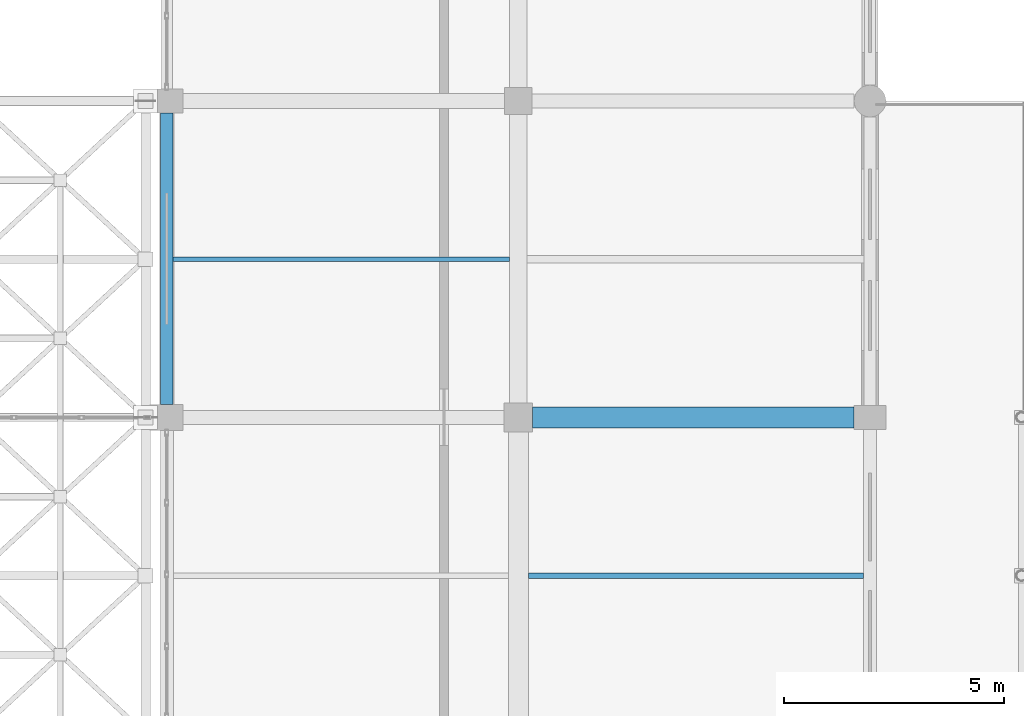
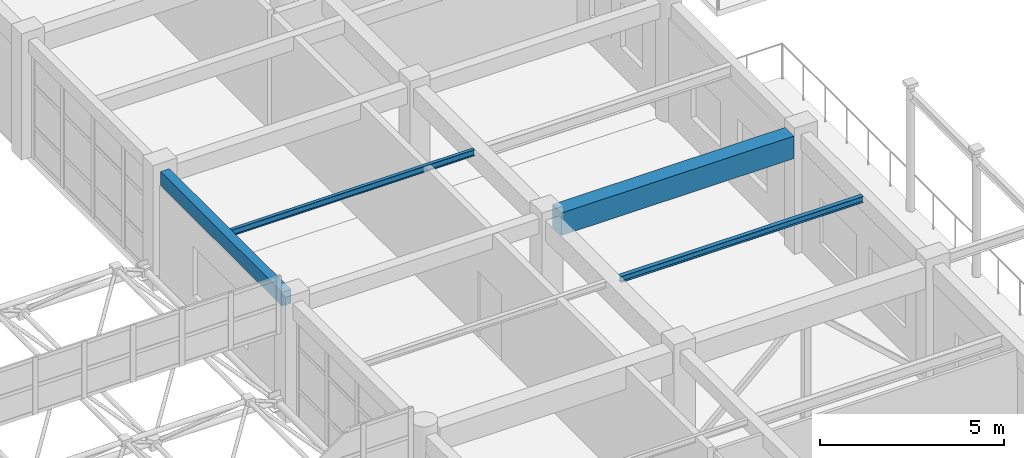
# One storey, part 105 of 195: 4 beams.
"""IFC4 building model written with IfcOpenShell, lengths in metres."""

from ifc_helpers import new_model, si_unit, direction, frame, origin, origin_2d, place, context, subcontext, project, spatial, rectangle, i_section, extrude, material, material_profile, profile_set, type_object, element, save


model = new_model("IFC4")

# Units and contexts
model_context = context("Model", 3, precision=1e-05, world=origin(), true_north=direction((0.0, 1.0)))
body_context = subcontext(model_context, "Body", "Model", "MODEL_VIEW")
ifc_project = project(units=[si_unit("LENGTHUNIT", "METRE"), si_unit("AREAUNIT", "SQUARE_METRE"), si_unit("VOLUMEUNIT", "CUBIC_METRE"), si_unit("PLANEANGLEUNIT", "RADIAN"), si_unit("MASSUNIT", "GRAM", prefix="KILO")], contexts=[model_context])

# Site, building, storey
site_placement = place(None, origin())
site = spatial("IfcSite", under=ifc_project, at=site_placement, CompositionType="ELEMENT")
building_placement = place(site_placement, origin())
building = spatial("IfcBuilding", under=site, at=building_placement, Name="Kharva Crest Polytechnic", CompositionType="ELEMENT")
storey_placement = place(building_placement, frame((0.0, 0.0, 9.0)))
storey = spatial("IfcBuildingStorey", under=building, at=storey_placement, Name="L02", CompositionType="ELEMENT", Elevation=9.0)

# Beams
ifc_material_1 = material(Name="Concrete C35/45", Category="concrete")
ifc_material_profile_1 = material_profile(ifc_material_1, rectangle(XDim=0.47998046875, YDim=0.75, at=origin_2d()), Name="RECT 480 X 750")
ifc_profile_set_1 = profile_set([ifc_material_profile_1], Name="Concrete C35/45")
beam_type_1 = type_object("IfcBeamType", Name="BM-RC-480X750", PredefinedType="BEAM", material=ifc_profile_set_1)
beam_1_placement = place(storey_placement, frame((40.324951171875, 86.0, 3.544921875), z_axis=(1.0, 0.0, 0.0), x_axis=(0.0, 1.0, 0.0)))
element("IfcBeam", 1, at=beam_1_placement, inside=storey, type_object=beam_type_1, Name="L02 Beam M/6-7", PredefinedType="BEAM", context=body_context, shape_type="SweptSolid", body=[
    extrude(rectangle(XDim=0.47998046875, YDim=0.75, at=origin_2d()), origin(), (0.0, 0.0, 1.0), 7.31494140625),
])
ifc_material_2 = material(Name="Steel S355", Category="steel")
ifc_material_profile_2 = material_profile(ifc_material_2, i_section(OverallWidth=0.10205078125, OverallDepth=0.2060546875, WebThickness=0.006103515625, FlangeThickness=0.008056640625, at=origin_2d()), Name="W200X22.5")
ifc_profile_set_2 = profile_set([ifc_material_profile_2], Name="Steel S355")
beam_type_2 = type_object("IfcBeamType", Name="BM-STL-W200X22", PredefinedType="JOIST", material=ifc_profile_set_2)
beam_2_placement = place(storey_placement, frame((32.139892578125, 89.60009765625, 3.81689453125), z_axis=(1.0, 0.0, 0.0), x_axis=(0.0, 1.0, 0.0)))
element("IfcBeam", 2, at=beam_2_placement, inside=storey, type_object=beam_type_2, Name="L02 Floor Joist 11", PredefinedType="JOIST", context=body_context, shape_type="SweptSolid", body=[
    extrude(i_section(OverallWidth=0.10205078125, OverallDepth=0.2060546875, WebThickness=0.006103515625, FlangeThickness=0.008056640625, at=origin_2d()), origin(), (0.0, 0.0, 1.0), 7.66015625),
])
ifc_material_profile_3 = material_profile(ifc_material_2, i_section(OverallWidth=0.133056640625, OverallDepth=0.20703125, WebThickness=0.005859375, FlangeThickness=0.00830078125, at=origin_2d()), Name="W200X26.6")
ifc_profile_set_3 = profile_set([ifc_material_profile_3], Name="Steel S355")
beam_type_3 = type_object("IfcBeamType", Name="BM-STL-W200X26", PredefinedType="JOIST", material=ifc_profile_set_3)
beam_3_placement = place(storey_placement, frame((40.22509765625, 82.39990234375, 3.81640625), z_axis=(1.0, 0.0, 0.0), x_axis=(0.0, 1.0, 0.0)))
element("IfcBeam", 3, at=beam_3_placement, inside=storey, type_object=beam_type_3, Name="L02 Floor Joist 10", PredefinedType="JOIST", context=body_context, shape_type="SweptSolid", body=[
    extrude(i_section(OverallWidth=0.133056640625, OverallDepth=0.20703125, WebThickness=0.005859375, FlangeThickness=0.00830078125, at=origin_2d()), origin(), (0.0, 0.0, 1.0), 7.625),
])
ifc_material_profile_4 = material_profile(ifc_material_1, rectangle(XDim=0.280029296875, YDim=0.4599609375, at=origin_2d()), Name="RECT 280 X 460")
ifc_profile_set_4 = profile_set([ifc_material_profile_4], Name="Concrete C35/45")
beam_type_4 = type_object("IfcBeamType", Name="SP-RC-280X460", PredefinedType="SPANDREL", material=ifc_profile_set_4)
beam_4_placement = place(storey_placement, frame((32.0, 86.300048828125, 3.68994140625), z_axis=(0.0, 1.0, 0.0), x_axis=(-1.0, 0.0, 0.0)))
element("IfcBeam", 4, at=beam_4_placement, inside=storey, type_object=beam_type_4, Name="L02 Girder 5/M-N", PredefinedType="SPANDREL", context=body_context, shape_type="SweptSolid", body=[
    extrude(rectangle(XDim=0.280029296875, YDim=0.4599609375, at=origin_2d()), origin(), (0.0, 0.0, 1.0), 6.625),
])

save(model, "model.ifc")
